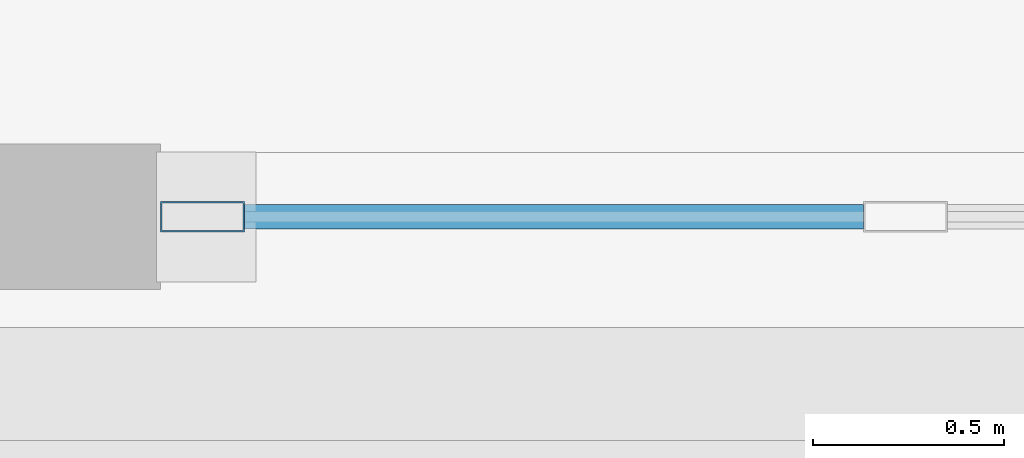
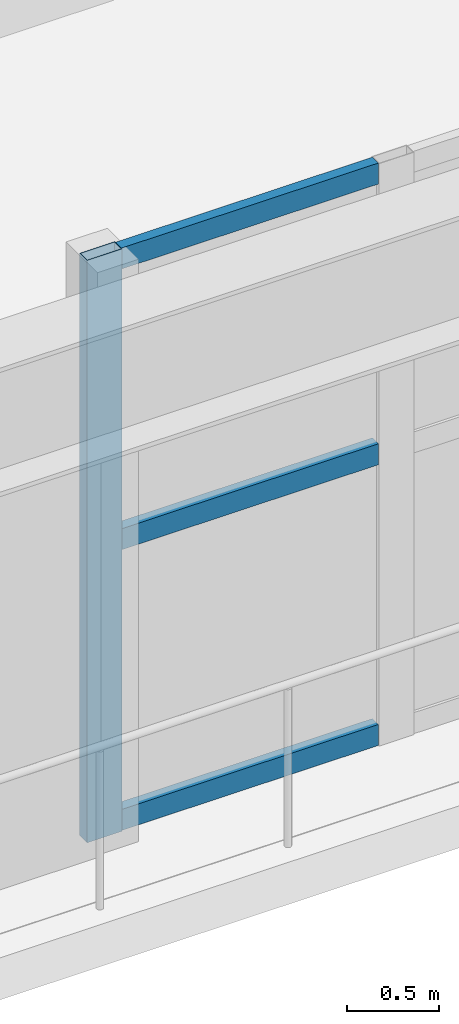
# One storey, part 2 of 22: 4 members, 1 element without a shape of its own.
"""IFC4 building model written with IfcOpenShell, lengths in metres."""

import ifcopenshell
import ifcopenshell.guid

model = None  # the IFC model being written
_history = None  # IfcOwnerHistory: only IFC2X3 demands one
_inside = {}  # id of a spatial element -> (the spatial element, [elements in it])
_under = {}  # id of a project, library or spatial element -> (it, [spatial elements below it])
_declared = {}  # id of a project -> (the project, [libraries it declares])
_typed = {}  # id of a type object -> (the type object, [elements of that type])
_made_of = {}  # id of a material, layer set ... -> (it, [elements and type objects made of it])


def new_model(schema):
    """Start an empty IFC model of exactly this schema.

    Asked for "IFC4X3", IfcOpenShell would pick the latest addendum, in which some entities
    have other attributes; the version numbers below select the first issue.
    IFC2X3 requires an IfcOwnerHistory on every rooted entity: one is made here for all.
    """
    global model, _history
    if schema == "IFC4X3":
        model = ifcopenshell.file(schema_version=(4, 3, 0, 0))
    else:
        model = ifcopenshell.file(schema=schema)
    _inside.clear()
    _under.clear()
    _declared.clear()
    _typed.clear()
    _made_of.clear()
    _history = None
    if model.schema == "IFC2X3":
        org = make("IfcOrganization", Name="unknown")
        user = make(
            "IfcPersonAndOrganization",
            ThePerson=make("IfcPerson", FamilyName="unknown"),
            TheOrganization=org,
        )
        app = make(
            "IfcApplication",
            ApplicationDeveloper=org,
            Version="unknown",
            ApplicationFullName="unknown",
            ApplicationIdentifier="unknown",
        )
        _history = make(
            "IfcOwnerHistory",
            OwningUser=user,
            OwningApplication=app,
            ChangeAction="ADDED",
            CreationDate=0,
        )
    return model


def make(cls, **values):
    """One entity of the class cls with the attributes given. An attribute that is None is left unset."""
    return model.create_entity(
        cls, **{name: value for name, value in values.items() if value is not None}
    )


def rooted(cls, **values):
    """An entity with a GlobalId (a new one), such as an element, a storey or a relation."""
    return make(cls, GlobalId=ifcopenshell.guid.new(), OwnerHistory=_history, **values)


def si_unit(unit_type, name, prefix=None):
    """IfcSIUnit, for example si_unit("LENGTHUNIT", "METRE", prefix="MILLI")."""
    return make("IfcSIUnit", UnitType=unit_type, Prefix=prefix, Name=name)


def assignment(units):
    """IfcUnitAssignment: the units of a project."""
    return None if units is None else make("IfcUnitAssignment", Units=units)


def point(xyz):
    """IfcCartesianPoint."""
    return None if xyz is None else make("IfcCartesianPoint", Coordinates=xyz)


def direction(xyz):
    """IfcDirection."""
    return None if xyz is None else make("IfcDirection", DirectionRatios=xyz)


def frame(location, z_axis=None, x_axis=None):
    """IfcAxis2Placement3D, a coordinate frame: its origin and axes. An axis left out is left unset."""
    return make(
        "IfcAxis2Placement3D",
        Location=point(location),
        Axis=direction(z_axis),
        RefDirection=direction(x_axis),
    )


def frame_2d(location, x_axis=None):
    """IfcAxis2Placement2D, a coordinate frame in the plane: its origin and x axis."""
    return make(
        "IfcAxis2Placement2D", Location=point(location), RefDirection=direction(x_axis)
    )


def origin():
    """The frame at (0, 0, 0) with its axes left unset."""
    return frame((0.0, 0.0, 0.0))


def origin_2d():
    """The frame at (0, 0) in the plane with its x axis left unset."""
    return frame_2d((0.0, 0.0))


def place(relative_to, where):
    """IfcLocalPlacement: puts the frame where relative to a parent placement (None: the world)."""
    return make(
        "IfcLocalPlacement", PlacementRelTo=relative_to, RelativePlacement=where
    )


def context(
    kind, dimensions, precision=None, world=None, true_north=None, identifier=None
):
    """IfcGeometricRepresentationContext, for example the 3D "Model" context."""
    return make(
        "IfcGeometricRepresentationContext",
        ContextIdentifier=identifier,
        ContextType=kind,
        CoordinateSpaceDimension=dimensions,
        Precision=precision,
        WorldCoordinateSystem=world,
        TrueNorth=true_north,
    )


def subcontext(parent, identifier, kind, view, scale=None):
    """IfcGeometricRepresentationSubContext, for example "Body" below "Model"."""
    return make(
        "IfcGeometricRepresentationSubContext",
        ContextIdentifier=identifier,
        ContextType=kind,
        ParentContext=parent,
        TargetScale=scale,
        TargetView=view,
    )


def project(units=None, contexts=None):
    """IfcProject with its units and contexts."""
    return rooted(
        "IfcProject",
        Name="project",
        RepresentationContexts=contexts,
        UnitsInContext=assignment(units),
    )


def spatial(cls, under=None, at=None, **own):
    """A site, building, storey or space (cls), placed at a placement, below another one or the project."""
    s = rooted(cls, ObjectPlacement=at, **own)
    if under is not None:
        _under.setdefault(under.id(), (under, []))[1].append(s)
    return s


def profile(cls, at=None, kind="AREA", **sizes):
    """A parametric profile (cls). Its sizes go by their IFC names, for example OverallWidth=200.0."""
    return make(cls, ProfileType=kind, Position=at, **sizes)


def hollow_rectangle(**sizes):
    """IfcRectangleHollowProfileDef."""
    return profile("IfcRectangleHollowProfileDef", **sizes)


def extrude(swept, where, along, depth):
    """IfcExtrudedAreaSolid: the profile swept, set in the frame where, extruded along a direction by depth."""
    return make(
        "IfcExtrudedAreaSolid",
        SweptArea=swept,
        Position=where,
        ExtrudedDirection=direction(along),
        Depth=depth,
    )


def shape(context_of_items, identifier, shape_type, items):
    """IfcShapeRepresentation: the items that make up one representation, for example the "Body"."""
    return make(
        "IfcShapeRepresentation",
        ContextOfItems=context_of_items,
        RepresentationIdentifier=identifier,
        RepresentationType=shape_type,
        Items=items,
    )


def material(Name=None, Category=None):
    """IfcMaterial."""
    return make("IfcMaterial", Name=Name, Category=Category)


def layer(
    of_material, thickness, ventilated=None, Name=None, Category=None, Priority=None
):
    """IfcMaterialLayer: one layer of a wall or slab, of a material (None: an air gap)."""
    return make(
        "IfcMaterialLayer",
        Material=of_material,
        LayerThickness=thickness,
        IsVentilated=ventilated,
        Name=Name,
        Category=Category,
        Priority=Priority,
    )


def layer_set(layers, Name=None):
    """IfcMaterialLayerSet."""
    return make("IfcMaterialLayerSet", MaterialLayers=layers, LayerSetName=Name)


def material_profile(
    of_material, cross_section, Name=None, Category=None, Priority=None
):
    """IfcMaterialProfile: a cross section and its material."""
    return make(
        "IfcMaterialProfile",
        Name=Name,
        Material=of_material,
        Profile=cross_section,
        Priority=Priority,
        Category=Category,
    )


def profile_set(profiles, Name=None, composite=None):
    """IfcMaterialProfileSet."""
    return make(
        "IfcMaterialProfileSet",
        Name=Name,
        MaterialProfiles=profiles,
        CompositeProfile=composite,
    )


def made_of(thing, what):
    """Note that an element or type object is made of a material, layer set ...; save() writes the relation."""
    if what is not None:
        _made_of.setdefault(what.id(), (what, []))[1].append(thing)
    return thing


def type_object(cls, material=None, **own):
    """A type object (cls), such as IfcWallType, which elements share."""
    return made_of(rooted(cls, **own), material)


def element(
    cls,
    number,
    at=None,
    inside=None,
    cuts=None,
    type_object=None,
    material=None,
    context=None,
    identifier="Body",
    shape_type=None,
    held_by="IfcProductDefinitionShape",
    body=None,
    shapes=None,
    **own,
):
    """One element of the class cls, such as IfcWall. Its Tag is "e" and its number.

    at: its placement. inside: the storey or other place that contains it. cuts: it is an
    opening in that element (IfcRelVoidsElement). A single representation is given by context,
    identifier, shape_type and body (its items); several are given by shapes. held_by: the class
    of the entity that holds the representations. save() writes the other relations.
    """
    e = rooted(cls, Tag="e%d" % number, ObjectPlacement=at, **own)
    if body is not None:
        shapes = [shape(context, identifier, shape_type, body)]
    if shapes is not None:
        e.Representation = make(held_by, Representations=shapes)
    if inside is not None:
        _inside.setdefault(inside.id(), (inside, []))[1].append(e)
    if cuts is not None:
        rooted(
            "IfcRelVoidsElement", RelatingBuildingElement=cuts, RelatedOpeningElement=e
        )
    if type_object is not None:
        _typed.setdefault(type_object.id(), (type_object, []))[1].append(e)
    return made_of(e, material)


def aggregate(whole, parts):
    """IfcRelAggregates: a whole, such as a stair, and the parts it consists of."""
    return rooted("IfcRelAggregates", RelatingObject=whole, RelatedObjects=parts)


def save(model, path):
    """Write the relations noted so far, then the file.

    IfcRelAggregates (storeys below a building ...), IfcRelContainedInSpatialStructure (elements
    in a storey), IfcRelDefinesByType, IfcRelAssociatesMaterial and IfcRelDeclares: one each for
    every whole, place, type object, material and project.
    """
    for whole, parts in _under.values():
        aggregate(whole, parts)
    for where, things in _inside.values():
        rooted(
            "IfcRelContainedInSpatialStructure",
            RelatedElements=things,
            RelatingStructure=where,
        )
    for kind, things in _typed.values():
        rooted("IfcRelDefinesByType", RelatedObjects=things, RelatingType=kind)
    for what, things in _made_of.values():
        rooted("IfcRelAssociatesMaterial", RelatedObjects=things, RelatingMaterial=what)
    for by, libraries in _declared.values():
        rooted("IfcRelDeclares", RelatingContext=by, RelatedDefinitions=libraries)
    model.write(path)


model = new_model("IFC4")

# Units and contexts
model_context = context("Model", 3, precision=1e-05, world=origin(), true_north=direction((0.0, 1.0)))
body_context = subcontext(model_context, "Body", "Model", "MODEL_VIEW")
ifc_project = project(units=[si_unit("LENGTHUNIT", "METRE"), si_unit("AREAUNIT", "SQUARE_METRE"), si_unit("VOLUMEUNIT", "CUBIC_METRE"), si_unit("PLANEANGLEUNIT", "RADIAN"), si_unit("MASSUNIT", "GRAM", prefix="KILO")], contexts=[model_context])

# Site, building, storey
site_placement = place(None, origin())
site = spatial("IfcSite", under=ifc_project, at=site_placement, CompositionType="ELEMENT")
building_placement = place(site_placement, origin())
building = spatial("IfcBuilding", under=site, at=building_placement, Name="Oramaril Tower", CompositionType="ELEMENT")
storey_placement = place(building_placement, frame((0.0, 0.0, 18.300048828125)))
storey = spatial("IfcBuildingStorey", under=building, at=storey_placement, Name="L04", CompositionType="ELEMENT", Elevation=18.300048828125)

# Curtain wall, members
ifc_material_1 = material(Name="Anodised Aluminium 6063-T6", Category="aluminium")
ifc_layer = layer(ifc_material_1, 0.219970703125)
ifc_layer_set = layer_set([ifc_layer], Name="CWT-SYS2")
curtain_wall_type = type_object("IfcCurtainWallType", Name="CWT-SYS2", PredefinedType="NOTDEFINED", material=ifc_layer_set)
curtain_wall_placement = place(storey_placement, origin())
curtain_wall = element("IfcCurtainWall", 1, at=curtain_wall_placement, inside=storey, type_object=curtain_wall_type, Name="L04 Unitised Curtain Wall CW-2", PredefinedType="NOTDEFINED")
ifc_material_2 = material(Name="Anodised Aluminium 6063-T6", Category="aluminium")
ifc_material_profile_1 = material_profile(ifc_material_2, hollow_rectangle(XDim=0.080078125, YDim=0.219970703125, WallThickness=0.00390625, at=origin_2d()), Name="CWM220X80")
ifc_profile_set_1 = profile_set([ifc_material_profile_1], Name="Anodised Aluminium 6063-T6")
member_type_1 = type_object("IfcMemberType", Name="MT-CWM1", PredefinedType="MULLION", material=ifc_profile_set_1)
member_1_placement = place(storey_placement, frame((33.7099609375, 1.85009765625, 0.0), z_axis=(0.0, 0.0, 1.0), x_axis=(0.0, 1.0, 0.0)))
member_1 = element("IfcMember", 2, at=member_1_placement, type_object=member_type_1, Name="CW-2 mullion 1", PredefinedType="MULLION", context=body_context, shape_type="SweptSolid", body=[
    extrude(hollow_rectangle(XDim=0.080078125, YDim=0.219970703125, WallThickness=0.00390625, at=origin_2d()), origin(), (0.0, 0.0, 1.0), 3.8798828125),
])
ifc_material_3 = material(Name="Anodised Aluminium 6063-T6", Category="aluminium")
ifc_material_profile_2 = material_profile(ifc_material_3, hollow_rectangle(XDim=0.06494140625, YDim=0.139892578125, WallThickness=0.00390625, at=origin_2d()), Name="CWT140X65")
ifc_profile_set_2 = profile_set([ifc_material_profile_2], Name="Anodised Aluminium 6063-T6")
member_type_2 = type_object("IfcMemberType", Name="MT-CWT2", PredefinedType="USERDEFINED", material=ifc_profile_set_2)
member_2_placement = place(storey_placement, frame((33.820068359375, 1.85009765625, 0.070068359375), z_axis=(1.0, 0.0, 0.0), x_axis=(0.0, 1.0, 0.0)))
member_2 = element("IfcMember", 3, at=member_2_placement, type_object=member_type_2, Name="CW-2 transom 1.1", ObjectType="TRANSOM", PredefinedType="USERDEFINED", context=body_context, shape_type="SweptSolid", body=[
    extrude(hollow_rectangle(XDim=0.06494140625, YDim=0.139892578125, WallThickness=0.00390625, at=origin_2d()), origin(), (0.0, 0.0, 1.0), 1.619873046875),
])
member_3_placement = place(storey_placement, frame((33.820068359375, 1.85009765625, 1.93994140625), z_axis=(1.0, 0.0, 0.0), x_axis=(0.0, 1.0, 0.0)))
member_3 = element("IfcMember", 4, at=member_3_placement, type_object=member_type_2, Name="CW-2 transom 1.2", ObjectType="TRANSOM", PredefinedType="USERDEFINED", context=body_context, shape_type="SweptSolid", body=[
    extrude(hollow_rectangle(XDim=0.06494140625, YDim=0.139892578125, WallThickness=0.00390625, at=origin_2d()), origin(), (0.0, 0.0, 1.0), 1.619873046875),
])
member_4_placement = place(storey_placement, frame((33.820068359375, 1.85009765625, 3.81005859375), z_axis=(1.0, 0.0, 0.0), x_axis=(0.0, 1.0, 0.0)))
member_4 = element("IfcMember", 5, at=member_4_placement, type_object=member_type_2, Name="CW-2 transom 1.3", ObjectType="TRANSOM", PredefinedType="USERDEFINED", context=body_context, shape_type="SweptSolid", body=[
    extrude(hollow_rectangle(XDim=0.06494140625, YDim=0.139892578125, WallThickness=0.00390625, at=origin_2d()), origin(), (0.0, 0.0, 1.0), 1.619873046875),
])
aggregate(curtain_wall, [member_1, member_2, member_3, member_4])

save(model, "model.ifc")
